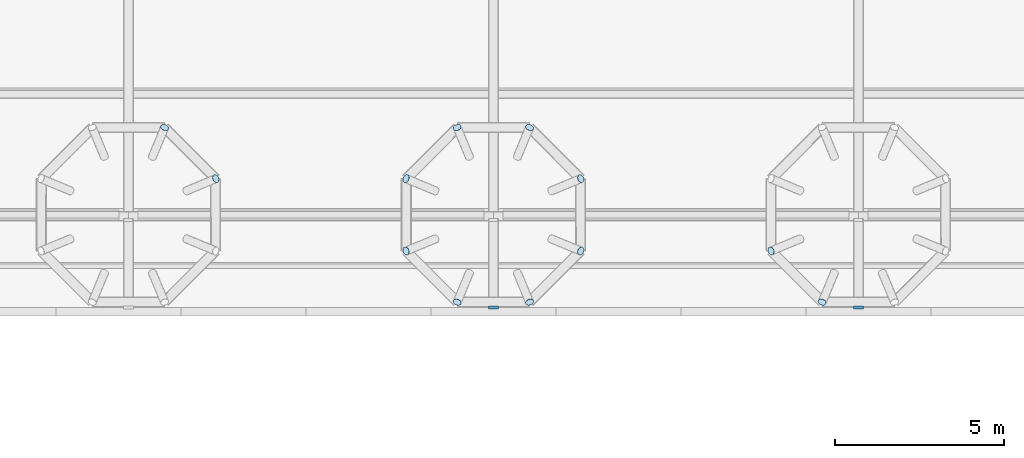
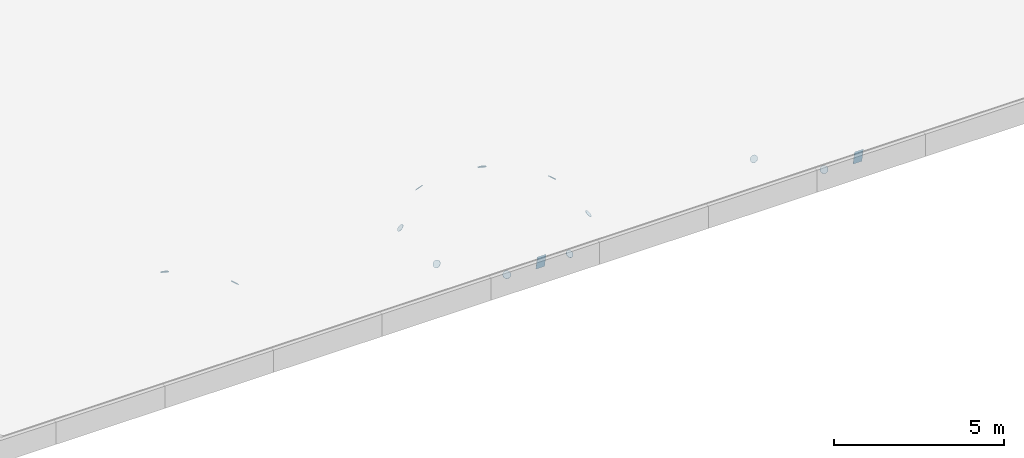
# One storey, part 37 of 56: 14 plates.
"""IFC4 building model written with IfcOpenShell, lengths in metres."""

import ifcopenshell
import ifcopenshell.guid

model = None  # the IFC model being written
_history = None  # IfcOwnerHistory: only IFC2X3 demands one
_inside = {}  # id of a spatial element -> (the spatial element, [elements in it])
_under = {}  # id of a project, library or spatial element -> (it, [spatial elements below it])
_declared = {}  # id of a project -> (the project, [libraries it declares])
_typed = {}  # id of a type object -> (the type object, [elements of that type])
_made_of = {}  # id of a material, layer set ... -> (it, [elements and type objects made of it])


def new_model(schema):
    """Start an empty IFC model of exactly this schema.

    Asked for "IFC4X3", IfcOpenShell would pick the latest addendum, in which some entities
    have other attributes; the version numbers below select the first issue.
    IFC2X3 requires an IfcOwnerHistory on every rooted entity: one is made here for all.
    """
    global model, _history
    if schema == "IFC4X3":
        model = ifcopenshell.file(schema_version=(4, 3, 0, 0))
    else:
        model = ifcopenshell.file(schema=schema)
    _inside.clear()
    _under.clear()
    _declared.clear()
    _typed.clear()
    _made_of.clear()
    _history = None
    if model.schema == "IFC2X3":
        org = make("IfcOrganization", Name="unknown")
        user = make(
            "IfcPersonAndOrganization",
            ThePerson=make("IfcPerson", FamilyName="unknown"),
            TheOrganization=org,
        )
        app = make(
            "IfcApplication",
            ApplicationDeveloper=org,
            Version="unknown",
            ApplicationFullName="unknown",
            ApplicationIdentifier="unknown",
        )
        _history = make(
            "IfcOwnerHistory",
            OwningUser=user,
            OwningApplication=app,
            ChangeAction="ADDED",
            CreationDate=0,
        )
    return model


def make(cls, **values):
    """One entity of the class cls with the attributes given. An attribute that is None is left unset."""
    return model.create_entity(
        cls, **{name: value for name, value in values.items() if value is not None}
    )


def rooted(cls, **values):
    """An entity with a GlobalId (a new one), such as an element, a storey or a relation."""
    return make(cls, GlobalId=ifcopenshell.guid.new(), OwnerHistory=_history, **values)


def si_unit(unit_type, name, prefix=None):
    """IfcSIUnit, for example si_unit("LENGTHUNIT", "METRE", prefix="MILLI")."""
    return make("IfcSIUnit", UnitType=unit_type, Prefix=prefix, Name=name)


def assignment(units):
    """IfcUnitAssignment: the units of a project."""
    return None if units is None else make("IfcUnitAssignment", Units=units)


def point(xyz):
    """IfcCartesianPoint."""
    return None if xyz is None else make("IfcCartesianPoint", Coordinates=xyz)


def direction(xyz):
    """IfcDirection."""
    return None if xyz is None else make("IfcDirection", DirectionRatios=xyz)


def frame(location, z_axis=None, x_axis=None):
    """IfcAxis2Placement3D, a coordinate frame: its origin and axes. An axis left out is left unset."""
    return make(
        "IfcAxis2Placement3D",
        Location=point(location),
        Axis=direction(z_axis),
        RefDirection=direction(x_axis),
    )


def frame_2d(location, x_axis=None):
    """IfcAxis2Placement2D, a coordinate frame in the plane: its origin and x axis."""
    return make(
        "IfcAxis2Placement2D", Location=point(location), RefDirection=direction(x_axis)
    )


def origin():
    """The frame at (0, 0, 0) with its axes left unset."""
    return frame((0.0, 0.0, 0.0))


def origin_2d():
    """The frame at (0, 0) in the plane with its x axis left unset."""
    return frame_2d((0.0, 0.0))


def place(relative_to, where):
    """IfcLocalPlacement: puts the frame where relative to a parent placement (None: the world)."""
    return make(
        "IfcLocalPlacement", PlacementRelTo=relative_to, RelativePlacement=where
    )


def context(
    kind, dimensions, precision=None, world=None, true_north=None, identifier=None
):
    """IfcGeometricRepresentationContext, for example the 3D "Model" context."""
    return make(
        "IfcGeometricRepresentationContext",
        ContextIdentifier=identifier,
        ContextType=kind,
        CoordinateSpaceDimension=dimensions,
        Precision=precision,
        WorldCoordinateSystem=world,
        TrueNorth=true_north,
    )


def subcontext(parent, identifier, kind, view, scale=None):
    """IfcGeometricRepresentationSubContext, for example "Body" below "Model"."""
    return make(
        "IfcGeometricRepresentationSubContext",
        ContextIdentifier=identifier,
        ContextType=kind,
        ParentContext=parent,
        TargetScale=scale,
        TargetView=view,
    )


def project(units=None, contexts=None):
    """IfcProject with its units and contexts."""
    return rooted(
        "IfcProject",
        Name="project",
        RepresentationContexts=contexts,
        UnitsInContext=assignment(units),
    )


def spatial(cls, under=None, at=None, **own):
    """A site, building, storey or space (cls), placed at a placement, below another one or the project."""
    s = rooted(cls, ObjectPlacement=at, **own)
    if under is not None:
        _under.setdefault(under.id(), (under, []))[1].append(s)
    return s


def profile(cls, at=None, kind="AREA", **sizes):
    """A parametric profile (cls). Its sizes go by their IFC names, for example OverallWidth=200.0."""
    return make(cls, ProfileType=kind, Position=at, **sizes)


def rectangle(**sizes):
    """IfcRectangleProfileDef."""
    return profile("IfcRectangleProfileDef", **sizes)


def circle(**sizes):
    """IfcCircleProfileDef."""
    return profile("IfcCircleProfileDef", **sizes)


def extrude(swept, where, along, depth):
    """IfcExtrudedAreaSolid: the profile swept, set in the frame where, extruded along a direction by depth."""
    return make(
        "IfcExtrudedAreaSolid",
        SweptArea=swept,
        Position=where,
        ExtrudedDirection=direction(along),
        Depth=depth,
    )


def shape(context_of_items, identifier, shape_type, items):
    """IfcShapeRepresentation: the items that make up one representation, for example the "Body"."""
    return make(
        "IfcShapeRepresentation",
        ContextOfItems=context_of_items,
        RepresentationIdentifier=identifier,
        RepresentationType=shape_type,
        Items=items,
    )


def material(Name=None, Category=None):
    """IfcMaterial."""
    return make("IfcMaterial", Name=Name, Category=Category)


def material_profile(
    of_material, cross_section, Name=None, Category=None, Priority=None
):
    """IfcMaterialProfile: a cross section and its material."""
    return make(
        "IfcMaterialProfile",
        Name=Name,
        Material=of_material,
        Profile=cross_section,
        Priority=Priority,
        Category=Category,
    )


def profile_set(profiles, Name=None, composite=None):
    """IfcMaterialProfileSet."""
    return make(
        "IfcMaterialProfileSet",
        Name=Name,
        MaterialProfiles=profiles,
        CompositeProfile=composite,
    )


def made_of(thing, what):
    """Note that an element or type object is made of a material, layer set ...; save() writes the relation."""
    if what is not None:
        _made_of.setdefault(what.id(), (what, []))[1].append(thing)
    return thing


def type_object(cls, material=None, **own):
    """A type object (cls), such as IfcWallType, which elements share."""
    return made_of(rooted(cls, **own), material)


def element(
    cls,
    number,
    at=None,
    inside=None,
    cuts=None,
    type_object=None,
    material=None,
    context=None,
    identifier="Body",
    shape_type=None,
    held_by="IfcProductDefinitionShape",
    body=None,
    shapes=None,
    **own,
):
    """One element of the class cls, such as IfcWall. Its Tag is "e" and its number.

    at: its placement. inside: the storey or other place that contains it. cuts: it is an
    opening in that element (IfcRelVoidsElement). A single representation is given by context,
    identifier, shape_type and body (its items); several are given by shapes. held_by: the class
    of the entity that holds the representations. save() writes the other relations.
    """
    e = rooted(cls, Tag="e%d" % number, ObjectPlacement=at, **own)
    if body is not None:
        shapes = [shape(context, identifier, shape_type, body)]
    if shapes is not None:
        e.Representation = make(held_by, Representations=shapes)
    if inside is not None:
        _inside.setdefault(inside.id(), (inside, []))[1].append(e)
    if cuts is not None:
        rooted(
            "IfcRelVoidsElement", RelatingBuildingElement=cuts, RelatedOpeningElement=e
        )
    if type_object is not None:
        _typed.setdefault(type_object.id(), (type_object, []))[1].append(e)
    return made_of(e, material)


def aggregate(whole, parts):
    """IfcRelAggregates: a whole, such as a stair, and the parts it consists of."""
    return rooted("IfcRelAggregates", RelatingObject=whole, RelatedObjects=parts)


def save(model, path):
    """Write the relations noted so far, then the file.

    IfcRelAggregates (storeys below a building ...), IfcRelContainedInSpatialStructure (elements
    in a storey), IfcRelDefinesByType, IfcRelAssociatesMaterial and IfcRelDeclares: one each for
    every whole, place, type object, material and project.
    """
    for whole, parts in _under.values():
        aggregate(whole, parts)
    for where, things in _inside.values():
        rooted(
            "IfcRelContainedInSpatialStructure",
            RelatedElements=things,
            RelatingStructure=where,
        )
    for kind, things in _typed.values():
        rooted("IfcRelDefinesByType", RelatedObjects=things, RelatingType=kind)
    for what, things in _made_of.values():
        rooted("IfcRelAssociatesMaterial", RelatedObjects=things, RelatingMaterial=what)
    for by, libraries in _declared.values():
        rooted("IfcRelDeclares", RelatingContext=by, RelatedDefinitions=libraries)
    model.write(path)


model = new_model("IFC4")

# Units and contexts
model_context = context("Model", 3, precision=1e-05, world=origin(), true_north=direction((0.0, 1.0)))
body_context = subcontext(model_context, "Body", "Model", "MODEL_VIEW")
ifc_project = project(units=[si_unit("LENGTHUNIT", "METRE"), si_unit("AREAUNIT", "SQUARE_METRE"), si_unit("VOLUMEUNIT", "CUBIC_METRE"), si_unit("PLANEANGLEUNIT", "RADIAN"), si_unit("MASSUNIT", "GRAM", prefix="KILO")], contexts=[model_context])

# Site, building, storey
site_placement = place(None, origin())
site = spatial("IfcSite", under=ifc_project, at=site_placement, CompositionType="ELEMENT")
building_placement = place(site_placement, origin())
building = spatial("IfcBuilding", under=site, at=building_placement, Name="Magnolia Steps Interchange", CompositionType="ELEMENT")
storey_placement = place(building_placement, frame((0.0, 0.0, 8.699951171875)))
storey = spatial("IfcBuildingStorey", under=building, at=storey_placement, Name="L02", CompositionType="ELEMENT", Elevation=8.699951171875)

# Plates
ifc_material_1 = material(Name="Steel Q355B", Category="steel")
ifc_material_profile_1 = material_profile(ifc_material_1, circle(Radius=0.12255859375, at=origin_2d()), Name="End plate CHS245x12")
ifc_profile_set_1 = profile_set([ifc_material_profile_1], Name="Steel Q355B")
plate_type_1 = type_object("IfcPlateType", Name="End plate CHS245x12", PredefinedType="SHEET", material=ifc_profile_set_1)
for number, where, z_axis, x_axis, name in (
    (1, (77.3798828125, 43.46875, 1.298828125), (0.664583318381, 0.275279424158, 0.694658370398), (-0.382683432789, 0.923879532336, 0.0), "End plate Tree rib"),
    (2, (75.86865234375, 44.97998046875, 1.298828125), (0.275279424158, 0.664583318381, 0.694658370398), (-0.923879532336, 0.382683432789, 0.0), "End plate Tree rib"),
    (3, (88.179931640625, 43.46875, 1.298828125), (0.664583318381, 0.275279424158, 0.694658370398), (-0.382683432789, 0.923879532336, 0.0), "End plate Tree rib"),
    (4, (86.668701171875, 44.97998046875, 1.298828125), (0.275279424158, 0.664583318381, 0.694658370398), (-0.923879532336, 0.382683432789, 0.0), "End plate Tree rib"),
    (5, (84.53125, 44.97998046875, 1.298828125), (-0.275279424158, 0.664583318381, 0.694658370398), (-0.923879532336, -0.382683432789, 0.0), "End plate Tree rib"),
    (6, (83.02001953125, 43.46875, 1.298828125), (-0.664583318381, 0.275279424158, 0.694658370398), (-0.382683432789, -0.923879532336, 0.0), "End plate Tree rib"),
    (7, (83.02001953125, 41.331298828125, 1.298828125), (-0.664583318381, -0.275279424158, 0.694658370398), (0.382683432789, -0.923879532336, 0.0), "End plate Tree rib"),
    (8, (84.53125, 39.820068359375, 1.298828125), (-0.275279424158, -0.664583318381, 0.694658370398), (0.923879532336, -0.382683432789, 0.0), "End plate Tree rib"),
    (9, (86.668701171875, 39.820068359375, 1.298828125), (0.275279424158, -0.664583318381, 0.694658370398), (0.923879532336, 0.382683432789, 0.0), "End plate Tree rib"),
    (10, (88.179931640625, 41.331298828125, 1.298828125), (0.664583318381, -0.275279424158, 0.694658370398), (0.382683432789, 0.923879532336, 0.0), "End plate Tree rib"),
    (11, (93.820068359375, 41.331298828125, 1.298828125), (-0.664583318381, -0.275279424158, 0.694658370398), (0.382683432789, -0.923879532336, 0.0), "End plate Tree rib"),
    (12, (95.331298828125, 39.820068359375, 1.298828125), (-0.275279424158, -0.664583318381, 0.694658370398), (0.923879532336, -0.382683432789, 0.0), "End plate Tree rib"),
):
    element("IfcPlate", number, at=place(storey_placement, frame(where, z_axis=z_axis, x_axis=x_axis)), inside=storey, type_object=plate_type_1, Name=name, PredefinedType="SHEET", context=body_context, shape_type="SweptSolid", body=[
        extrude(circle(Radius=0.12255859375, at=origin_2d()), origin(), (0.0, 0.0, 1.0), 0.008056640625),
    ])
ifc_material_2 = material(Name="Steel Q355B", Category="steel")
ifc_material_profile_2 = material_profile(ifc_material_2, rectangle(XDim=0.300048828125, YDim=0.5, at=origin_2d()), Name="End plate RHS500x300x16")
ifc_profile_set_2 = profile_set([ifc_material_profile_2], Name="Steel Q355B")
plate_type_2 = type_object("IfcPlateType", Name="End plate RHS500x300x16", PredefinedType="SHEET", material=ifc_profile_set_2)
for number, where, z_axis, x_axis, name in (
    (13, (85.60009765625, 39.659912109375, 1.491943359375), (0.0, -0.983682817222, -0.179911409041), (1.0, 0.0, 0.0), "End plate Roof beam"),
    (14, (96.39990234375, 39.659912109375, 1.491943359375), (0.0, -0.983682817222, -0.179911409041), (1.0, 0.0, 0.0), "End plate Roof beam"),
):
    element("IfcPlate", number, at=place(storey_placement, frame(where, z_axis=z_axis, x_axis=x_axis)), inside=storey, type_object=plate_type_2, Name=name, PredefinedType="SHEET", context=body_context, shape_type="SweptSolid", body=[
        extrude(rectangle(XDim=0.300048828125, YDim=0.5, at=origin_2d()), origin(), (0.0, 0.0, 1.0), 0.008056640625),
    ])

save(model, "model.ifc")
